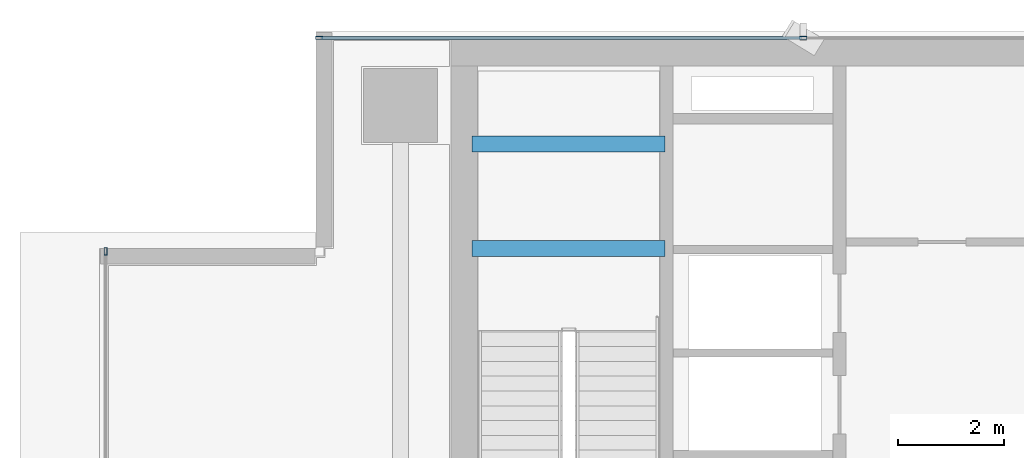
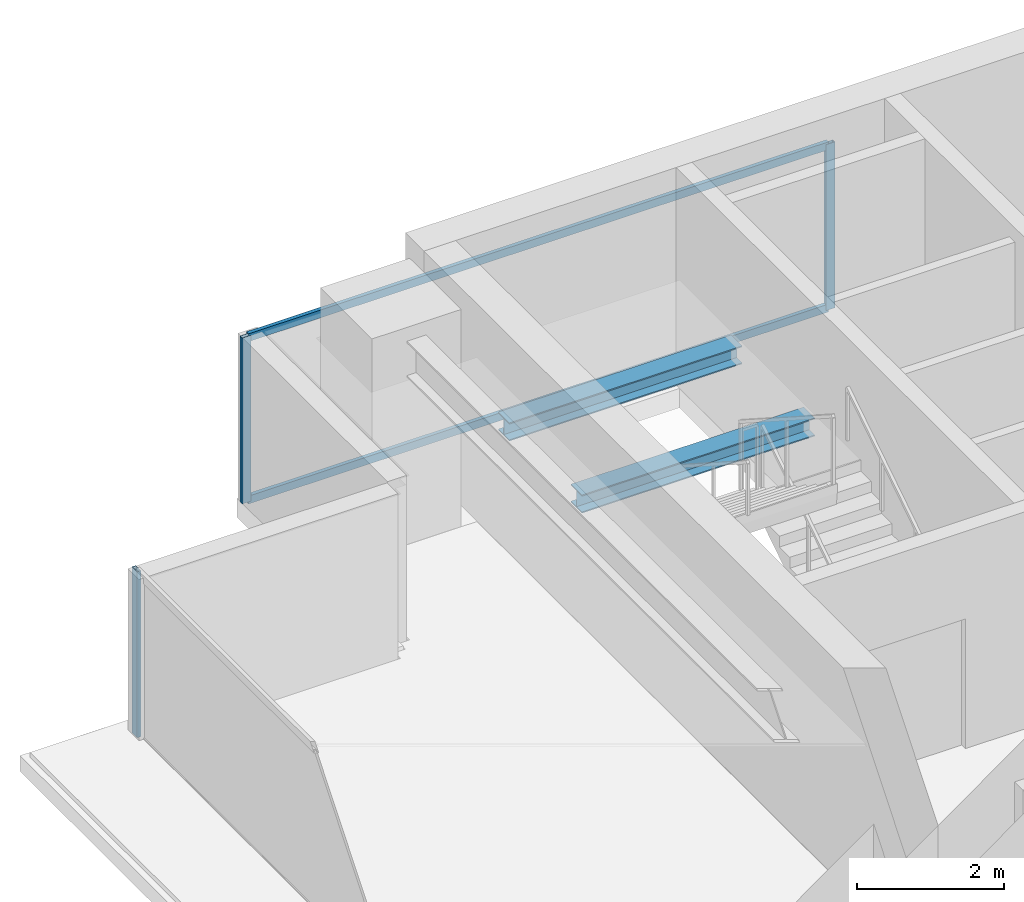
# One storey, part 15 of 27: 5 members, 2 beams, 2 elements without a shape of their own.
"""IFC4 building model written with IfcOpenShell, lengths in metres."""

from ifc_helpers import new_model, si_unit, direction, frame, origin, origin_2d, place, context, subcontext, project, spatial, hollow_rectangle, i_section, extrude, source, transform, mapped, material, layer, layer_set, material_profile, profile_set, type_object, element, aggregate, save


model = new_model("IFC4")

# Units and contexts
model_context = context("Model", 3, precision=1e-05, world=origin(), true_north=direction((0.0, 1.0)))
body_context = subcontext(model_context, "Body", "Model", "MODEL_VIEW")
ifc_project = project(units=[si_unit("LENGTHUNIT", "METRE"), si_unit("AREAUNIT", "SQUARE_METRE"), si_unit("VOLUMEUNIT", "CUBIC_METRE"), si_unit("PLANEANGLEUNIT", "RADIAN"), si_unit("MASSUNIT", "GRAM", prefix="KILO")], contexts=[model_context])

# Site, building, storey
site_placement = place(None, origin())
site = spatial("IfcSite", under=ifc_project, at=site_placement, CompositionType="ELEMENT")
building_placement = place(site_placement, origin())
building = spatial("IfcBuilding", under=site, at=building_placement, Name="Sumidabori Civic Tower", CompositionType="ELEMENT")
storey_placement = place(building_placement, frame((0.0, 0.0, 228.800048828125)))
storey = spatial("IfcBuildingStorey", under=building, at=storey_placement, Name="L59", CompositionType="ELEMENT", Elevation=228.800048828125)

# Beams
ifc_material_1 = material(Name="Steel SN490", Category="steel")
ifc_material_profile_1 = material_profile(ifc_material_1, i_section(OverallWidth=0.300048828125, OverallDepth=0.300048828125, WebThickness=0.010986328125, FlangeThickness=0.01904296875, at=origin_2d()), Name="HE 300 B")
ifc_profile_set_1 = profile_set([ifc_material_profile_1], Name="Steel SN490")
beam_type = type_object("IfcBeamType", Name="BM-LDG-300", PredefinedType="BEAM", material=ifc_profile_set_1)
shared_shape_1 = source(origin(), body_context, "Body", "SweptSolid", [
    extrude(i_section(OverallWidth=0.300048828125, OverallDepth=0.300048828125, WebThickness=0.010986328125, FlangeThickness=0.01904296875, at=origin_2d()), origin(), (0.0, 0.0, 1.0), 3.64990234375),
])
for number, where, z_axis, x_axis, name in (
    (1, (-15.449951171875, 20.09765625, 1.449951171875), (1.0, 0.0, 0.0), (0.0, 1.0, 0.0), "Stair ST-1 Landing Support Beam L59-1A"),
    (2, (-15.449951171875, 22.069580078125, 1.449951171875), (1.0, 0.0, 0.0), (0.0, 1.0, 0.0), "Stair ST-1 Landing Trimmer Beam L59-1B"),
):
    element("IfcBeam", number, at=place(storey_placement, frame(where, z_axis=z_axis, x_axis=x_axis)), inside=storey, type_object=beam_type, Name=name, PredefinedType="BEAM", context=body_context, shape_type="MappedRepresentation", body=[
        mapped(shared_shape_1, transform((0.0, 0.0, 0.0), x_axis=(1.0, 0.0, 0.0), y_axis=(0.0, 1.0, 0.0), z_axis=(0.0, 0.0, 1.0), scale=1.0)),
    ])

# Curtain wall, members
ifc_material_2 = material(Name="Anodised Bronze Aluminium AW-6063-T6", Category="aluminium")
ifc_layer = layer(ifc_material_2, 0.179931640625, Name="Anodised Bronze Aluminium AW-6063-T6")
ifc_layer_set = layer_set([ifc_layer], Name="Anodised Bronze Aluminium AW-6063-T6")
curtain_wall_type = type_object("IfcCurtainWallType", Name="CW-SYS-5", PredefinedType="NOTDEFINED", material=ifc_layer_set)
curtain_wall_1_placement = place(storey_placement, origin())
curtain_wall_1 = element("IfcCurtainWall", 3, at=curtain_wall_1_placement, inside=storey, type_object=curtain_wall_type, Name="Curtain Wall CW:L59:R08", PredefinedType="NOTDEFINED")
ifc_material_profile_2 = material_profile(ifc_material_2, hollow_rectangle(XDim=0.06005859375, YDim=0.1298828125, WallThickness=0.0048828125, at=origin_2d()), Name="ALU TRANSOM 130x60")
ifc_profile_set_2 = profile_set([ifc_material_profile_2], Name="Anodised Bronze Aluminium AW-6063-T6")
member_type_1 = type_object("IfcMemberType", Name="CW-TRN-130", PredefinedType="USERDEFINED", material=ifc_profile_set_2)
shared_shape_2 = source(origin(), body_context, "Body", "SweptSolid", [
    extrude(hollow_rectangle(XDim=0.06005859375, YDim=0.1298828125, WallThickness=0.0048828125, at=origin_2d()), origin(), (0.0, 0.0, 1.0), 9.094970703125),
])
member_1_placement = place(storey_placement, frame((-9.215087890625, 24.080078125, 0.030029296875), z_axis=(-1.0, 0.0, 0.0), x_axis=(0.0, -1.0, 0.0)))
member_1 = element("IfcMember", 4, at=member_1_placement, type_object=member_type_1, Name="CW-5 transom 4.1", ObjectType="TRANSOM", PredefinedType="USERDEFINED", context=body_context, shape_type="MappedRepresentation", body=[
    mapped(shared_shape_2, transform((0.0, 0.0, 0.0), x_axis=(1.0, 0.0, 0.0), y_axis=(0.0, 1.0, 0.0), z_axis=(0.0, 0.0, 1.0), scale=1.0)),
])
member_2_placement = place(storey_placement, frame((-9.215087890625, 24.080078125, 2.719970703125), z_axis=(-1.0, 0.0, 0.0), x_axis=(0.0, -1.0, 0.0)))
member_2 = element("IfcMember", 5, at=member_2_placement, type_object=member_type_1, Name="CW-5 transom 4.2", ObjectType="TRANSOM", PredefinedType="USERDEFINED", context=body_context, shape_type="MappedRepresentation", body=[
    mapped(shared_shape_2, transform((0.0, 0.0, 0.0), x_axis=(1.0, 0.0, 0.0), y_axis=(0.0, 1.0, 0.0), z_axis=(0.0, 0.0, 1.0), scale=1.0)),
])
ifc_material_profile_3 = material_profile(ifc_material_2, hollow_rectangle(XDim=0.06005859375, YDim=0.139892578125, WallThickness=0.0048828125, at=origin_2d()), Name="ALU MULLION 140x60")
ifc_profile_set_3 = profile_set([ifc_material_profile_3], Name="Anodised Bronze Aluminium AW-6063-T6")
member_type_2 = type_object("IfcMemberType", Name="CW-MUL-140", PredefinedType="MULLION", material=ifc_profile_set_3)
shared_shape_3 = source(origin(), body_context, "Body", "SweptSolid", [
    extrude(hollow_rectangle(XDim=0.06005859375, YDim=0.139892578125, WallThickness=0.0048828125, at=origin_2d()), origin(), (0.0, 0.0, 1.0), 2.75),
])
member_3_placement = place(storey_placement, frame((-9.18505859375, 24.080078125, 0.0), z_axis=(0.0, 0.0, 1.0), x_axis=(0.0, -1.0, 0.0)))
member_3 = element("IfcMember", 6, at=member_3_placement, type_object=member_type_2, Name="CW-5 mullion 4", PredefinedType="MULLION", context=body_context, shape_type="MappedRepresentation", body=[
    mapped(shared_shape_3, transform((0.0, 0.0, 0.0), x_axis=(1.0, 0.0, 0.0), y_axis=(0.0, 1.0, 0.0), z_axis=(0.0, 0.0, 1.0), scale=1.0)),
])
member_4_placement = place(storey_placement, frame((-18.340087890625, 24.080078125, 0.0), z_axis=(0.0, 0.0, 1.0), x_axis=(0.0, -1.0, 0.0)))
member_4 = element("IfcMember", 7, at=member_4_placement, type_object=member_type_2, Name="CW-5 mullion 5", PredefinedType="MULLION", context=body_context, shape_type="MappedRepresentation", body=[
    mapped(shared_shape_3, transform((0.0, 0.0, 0.0), x_axis=(1.0, 0.0, 0.0), y_axis=(0.0, 1.0, 0.0), z_axis=(0.0, 0.0, 1.0), scale=1.0)),
])
aggregate(curtain_wall_1, [member_3, member_4, member_1, member_2])

# Curtain wall, member
curtain_wall_2_placement = place(storey_placement, origin())
curtain_wall_2 = element("IfcCurtainWall", 8, at=curtain_wall_2_placement, inside=storey, type_object=curtain_wall_type, Name="Curtain Wall CW:L59:R11", PredefinedType="NOTDEFINED")
member_5_placement = place(storey_placement, frame((-22.3798828125, 20.0400390625, 0.0), z_axis=(0.0, 0.0, 1.0), x_axis=(1.0, 0.0, 0.0)))
member_5 = element("IfcMember", 9, at=member_5_placement, type_object=member_type_2, Name="CW-5 mullion 1", PredefinedType="MULLION", context=body_context, shape_type="MappedRepresentation", body=[
    mapped(shared_shape_3, transform((0.0, 0.0, 0.0), x_axis=(1.0, 0.0, 0.0), y_axis=(0.0, 1.0, 0.0), z_axis=(0.0, 0.0, 1.0), scale=1.0)),
])
aggregate(curtain_wall_2, [member_5])

save(model, "model.ifc")
